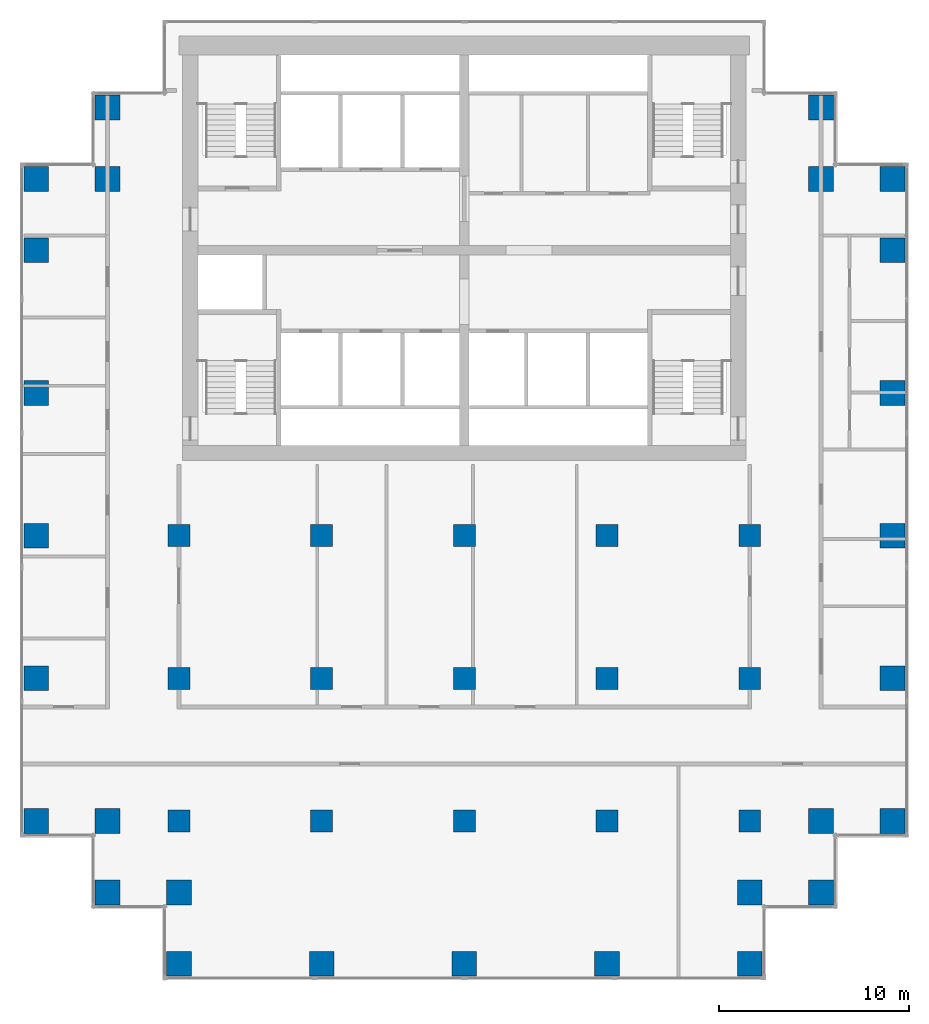
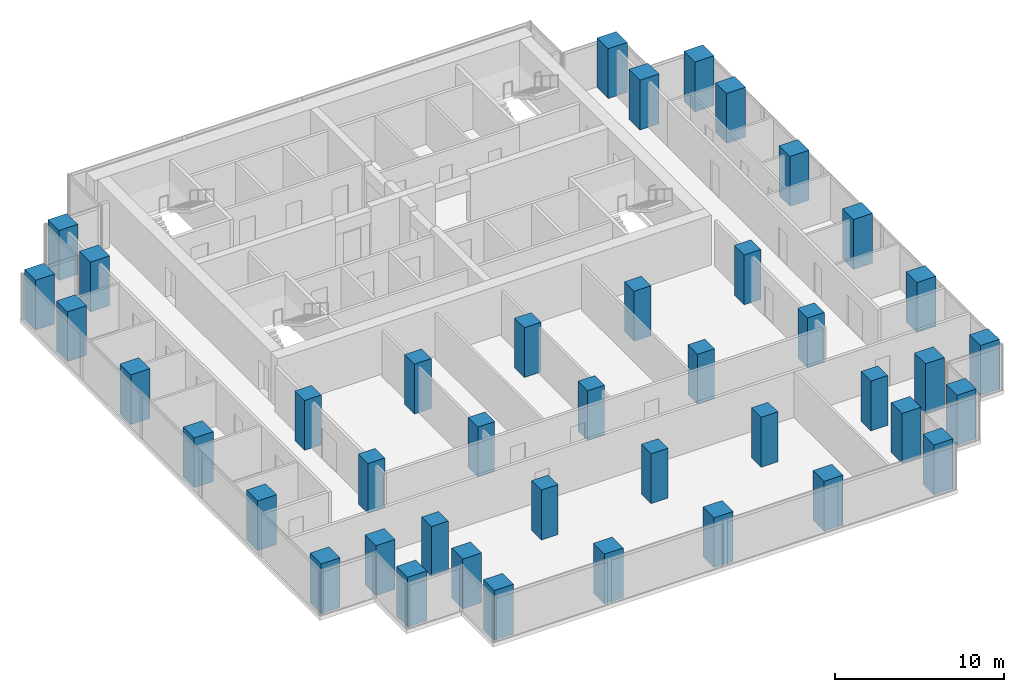
# One storey, part 1 of 10: 42 columns.
"""IFC4 building model written with IfcOpenShell, lengths in metres."""

import ifcopenshell
import ifcopenshell.guid

model = None  # the IFC model being written
_history = None  # IfcOwnerHistory: only IFC2X3 demands one
_inside = {}  # id of a spatial element -> (the spatial element, [elements in it])
_under = {}  # id of a project, library or spatial element -> (it, [spatial elements below it])
_declared = {}  # id of a project -> (the project, [libraries it declares])
_typed = {}  # id of a type object -> (the type object, [elements of that type])
_made_of = {}  # id of a material, layer set ... -> (it, [elements and type objects made of it])


def new_model(schema):
    """Start an empty IFC model of exactly this schema.

    Asked for "IFC4X3", IfcOpenShell would pick the latest addendum, in which some entities
    have other attributes; the version numbers below select the first issue.
    IFC2X3 requires an IfcOwnerHistory on every rooted entity: one is made here for all.
    """
    global model, _history
    if schema == "IFC4X3":
        model = ifcopenshell.file(schema_version=(4, 3, 0, 0))
    else:
        model = ifcopenshell.file(schema=schema)
    _inside.clear()
    _under.clear()
    _declared.clear()
    _typed.clear()
    _made_of.clear()
    _history = None
    if model.schema == "IFC2X3":
        org = make("IfcOrganization", Name="unknown")
        user = make(
            "IfcPersonAndOrganization",
            ThePerson=make("IfcPerson", FamilyName="unknown"),
            TheOrganization=org,
        )
        app = make(
            "IfcApplication",
            ApplicationDeveloper=org,
            Version="unknown",
            ApplicationFullName="unknown",
            ApplicationIdentifier="unknown",
        )
        _history = make(
            "IfcOwnerHistory",
            OwningUser=user,
            OwningApplication=app,
            ChangeAction="ADDED",
            CreationDate=0,
        )
    return model


def make(cls, **values):
    """One entity of the class cls with the attributes given. An attribute that is None is left unset."""
    return model.create_entity(
        cls, **{name: value for name, value in values.items() if value is not None}
    )


def rooted(cls, **values):
    """An entity with a GlobalId (a new one), such as an element, a storey or a relation."""
    return make(cls, GlobalId=ifcopenshell.guid.new(), OwnerHistory=_history, **values)


def si_unit(unit_type, name, prefix=None):
    """IfcSIUnit, for example si_unit("LENGTHUNIT", "METRE", prefix="MILLI")."""
    return make("IfcSIUnit", UnitType=unit_type, Prefix=prefix, Name=name)


def assignment(units):
    """IfcUnitAssignment: the units of a project."""
    return None if units is None else make("IfcUnitAssignment", Units=units)


def point(xyz):
    """IfcCartesianPoint."""
    return None if xyz is None else make("IfcCartesianPoint", Coordinates=xyz)


def direction(xyz):
    """IfcDirection."""
    return None if xyz is None else make("IfcDirection", DirectionRatios=xyz)


def frame(location, z_axis=None, x_axis=None):
    """IfcAxis2Placement3D, a coordinate frame: its origin and axes. An axis left out is left unset."""
    return make(
        "IfcAxis2Placement3D",
        Location=point(location),
        Axis=direction(z_axis),
        RefDirection=direction(x_axis),
    )


def frame_2d(location, x_axis=None):
    """IfcAxis2Placement2D, a coordinate frame in the plane: its origin and x axis."""
    return make(
        "IfcAxis2Placement2D", Location=point(location), RefDirection=direction(x_axis)
    )


def origin():
    """The frame at (0, 0, 0) with its axes left unset."""
    return frame((0.0, 0.0, 0.0))


def origin_2d():
    """The frame at (0, 0) in the plane with its x axis left unset."""
    return frame_2d((0.0, 0.0))


def place(relative_to, where):
    """IfcLocalPlacement: puts the frame where relative to a parent placement (None: the world)."""
    return make(
        "IfcLocalPlacement", PlacementRelTo=relative_to, RelativePlacement=where
    )


def context(
    kind, dimensions, precision=None, world=None, true_north=None, identifier=None
):
    """IfcGeometricRepresentationContext, for example the 3D "Model" context."""
    return make(
        "IfcGeometricRepresentationContext",
        ContextIdentifier=identifier,
        ContextType=kind,
        CoordinateSpaceDimension=dimensions,
        Precision=precision,
        WorldCoordinateSystem=world,
        TrueNorth=true_north,
    )


def subcontext(parent, identifier, kind, view, scale=None):
    """IfcGeometricRepresentationSubContext, for example "Body" below "Model"."""
    return make(
        "IfcGeometricRepresentationSubContext",
        ContextIdentifier=identifier,
        ContextType=kind,
        ParentContext=parent,
        TargetScale=scale,
        TargetView=view,
    )


def project(units=None, contexts=None):
    """IfcProject with its units and contexts."""
    return rooted(
        "IfcProject",
        Name="project",
        RepresentationContexts=contexts,
        UnitsInContext=assignment(units),
    )


def spatial(cls, under=None, at=None, **own):
    """A site, building, storey or space (cls), placed at a placement, below another one or the project."""
    s = rooted(cls, ObjectPlacement=at, **own)
    if under is not None:
        _under.setdefault(under.id(), (under, []))[1].append(s)
    return s


def profile(cls, at=None, kind="AREA", **sizes):
    """A parametric profile (cls). Its sizes go by their IFC names, for example OverallWidth=200.0."""
    return make(cls, ProfileType=kind, Position=at, **sizes)


def rectangle(**sizes):
    """IfcRectangleProfileDef."""
    return profile("IfcRectangleProfileDef", **sizes)


def extrude(swept, where, along, depth):
    """IfcExtrudedAreaSolid: the profile swept, set in the frame where, extruded along a direction by depth."""
    return make(
        "IfcExtrudedAreaSolid",
        SweptArea=swept,
        Position=where,
        ExtrudedDirection=direction(along),
        Depth=depth,
    )


def shape(context_of_items, identifier, shape_type, items):
    """IfcShapeRepresentation: the items that make up one representation, for example the "Body"."""
    return make(
        "IfcShapeRepresentation",
        ContextOfItems=context_of_items,
        RepresentationIdentifier=identifier,
        RepresentationType=shape_type,
        Items=items,
    )


def material(Name=None, Category=None):
    """IfcMaterial."""
    return make("IfcMaterial", Name=Name, Category=Category)


def material_profile(
    of_material, cross_section, Name=None, Category=None, Priority=None
):
    """IfcMaterialProfile: a cross section and its material."""
    return make(
        "IfcMaterialProfile",
        Name=Name,
        Material=of_material,
        Profile=cross_section,
        Priority=Priority,
        Category=Category,
    )


def profile_set(profiles, Name=None, composite=None):
    """IfcMaterialProfileSet."""
    return make(
        "IfcMaterialProfileSet",
        Name=Name,
        MaterialProfiles=profiles,
        CompositeProfile=composite,
    )


def made_of(thing, what):
    """Note that an element or type object is made of a material, layer set ...; save() writes the relation."""
    if what is not None:
        _made_of.setdefault(what.id(), (what, []))[1].append(thing)
    return thing


def type_object(cls, material=None, **own):
    """A type object (cls), such as IfcWallType, which elements share."""
    return made_of(rooted(cls, **own), material)


def element(
    cls,
    number,
    at=None,
    inside=None,
    cuts=None,
    type_object=None,
    material=None,
    context=None,
    identifier="Body",
    shape_type=None,
    held_by="IfcProductDefinitionShape",
    body=None,
    shapes=None,
    **own,
):
    """One element of the class cls, such as IfcWall. Its Tag is "e" and its number.

    at: its placement. inside: the storey or other place that contains it. cuts: it is an
    opening in that element (IfcRelVoidsElement). A single representation is given by context,
    identifier, shape_type and body (its items); several are given by shapes. held_by: the class
    of the entity that holds the representations. save() writes the other relations.
    """
    e = rooted(cls, Tag="e%d" % number, ObjectPlacement=at, **own)
    if body is not None:
        shapes = [shape(context, identifier, shape_type, body)]
    if shapes is not None:
        e.Representation = make(held_by, Representations=shapes)
    if inside is not None:
        _inside.setdefault(inside.id(), (inside, []))[1].append(e)
    if cuts is not None:
        rooted(
            "IfcRelVoidsElement", RelatingBuildingElement=cuts, RelatedOpeningElement=e
        )
    if type_object is not None:
        _typed.setdefault(type_object.id(), (type_object, []))[1].append(e)
    return made_of(e, material)


def aggregate(whole, parts):
    """IfcRelAggregates: a whole, such as a stair, and the parts it consists of."""
    return rooted("IfcRelAggregates", RelatingObject=whole, RelatedObjects=parts)


def save(model, path):
    """Write the relations noted so far, then the file.

    IfcRelAggregates (storeys below a building ...), IfcRelContainedInSpatialStructure (elements
    in a storey), IfcRelDefinesByType, IfcRelAssociatesMaterial and IfcRelDeclares: one each for
    every whole, place, type object, material and project.
    """
    for whole, parts in _under.values():
        aggregate(whole, parts)
    for where, things in _inside.values():
        rooted(
            "IfcRelContainedInSpatialStructure",
            RelatedElements=things,
            RelatingStructure=where,
        )
    for kind, things in _typed.values():
        rooted("IfcRelDefinesByType", RelatedObjects=things, RelatingType=kind)
    for what, things in _made_of.values():
        rooted("IfcRelAssociatesMaterial", RelatedObjects=things, RelatingMaterial=what)
    for by, libraries in _declared.values():
        rooted("IfcRelDeclares", RelatingContext=by, RelatedDefinitions=libraries)
    model.write(path)


model = new_model("IFC4")

# Units and contexts
model_context = context("Model", 3, precision=1e-05, world=origin(), true_north=direction((0.0, 1.0)))
body_context = subcontext(model_context, "Body", "Model", "MODEL_VIEW")
ifc_project = project(units=[si_unit("LENGTHUNIT", "METRE"), si_unit("AREAUNIT", "SQUARE_METRE"), si_unit("VOLUMEUNIT", "CUBIC_METRE"), si_unit("PLANEANGLEUNIT", "RADIAN"), si_unit("MASSUNIT", "GRAM", prefix="KILO")], contexts=[model_context])

# Site, building, storey
site_placement = place(None, origin())
site = spatial("IfcSite", under=ifc_project, at=site_placement, CompositionType="ELEMENT")
building_placement = place(site_placement, origin())
building = spatial("IfcBuilding", under=site, at=building_placement, Name="Pilkhan Gate Tower", CompositionType="ELEMENT")
storey_placement = place(building_placement, frame((0.0, 0.0, 132.39990234375)))
storey = spatial("IfcBuildingStorey", under=building, at=storey_placement, Name="L33", CompositionType="ELEMENT", Elevation=132.39990234375)

# Columns
ifc_material = material(Name="Concrete C60/75", Category="concrete")
ifc_material_profile_1 = material_profile(ifc_material, rectangle(XDim=1.14990234375, YDim=1.14990234375, at=origin_2d()), Name="RC 1150x1150")
ifc_profile_set_1 = profile_set([ifc_material_profile_1], Name="Concrete C60/75")
column_type_1 = type_object("IfcColumnType", Name="Column C115 RC 1150x1150 C60/75", PredefinedType="COLUMN", material=ifc_profile_set_1)
for number, where, z_axis, x_axis, name in (
    (1, (60.0, 52.5, 0.0), (0.0, 0.0, 1.0), (1.0, 0.0, 0.0), "Column 7/D L33"),
    (2, (60.0, 60.0, 0.0), (0.0, 0.0, 1.0), (1.0, 0.0, 0.0), "Column 7/F L33"),
    (3, (60.0, 67.5, 0.0), (0.0, 0.0, 1.0), (1.0, 0.0, 0.0), "Column 7/H L33"),
    (4, (67.5, 52.5, 0.0), (0.0, 0.0, 1.0), (1.0, 0.0, 0.0), "Column 9/D L33"),
    (5, (67.5, 60.0, 0.0), (0.0, 0.0, 1.0), (1.0, 0.0, 0.0), "Column 9/F L33"),
    (6, (67.5, 67.5, 0.0), (0.0, 0.0, 1.0), (1.0, 0.0, 0.0), "Column 9/H L33"),
    (7, (75.0, 52.5, 0.0), (0.0, 0.0, 1.0), (1.0, 0.0, 0.0), "Column 11/D L33"),
    (8, (75.0, 60.0, 0.0), (0.0, 0.0, 1.0), (1.0, 0.0, 0.0), "Column 11/F L33"),
    (9, (75.0, 67.5, 0.0), (0.0, 0.0, 1.0), (1.0, 0.0, 0.0), "Column 11/H L33"),
    (10, (82.5, 52.5, 0.0), (0.0, 0.0, 1.0), (1.0, 0.0, 0.0), "Column 13/D L33"),
    (11, (82.5, 60.0, 0.0), (0.0, 0.0, 1.0), (1.0, 0.0, 0.0), "Column 13/F L33"),
    (12, (82.5, 67.5, 0.0), (0.0, 0.0, 1.0), (1.0, 0.0, 0.0), "Column 13/H L33"),
    (13, (90.0, 52.5, 0.0), (0.0, 0.0, 1.0), (1.0, 0.0, 0.0), "Column 15/D L33"),
    (14, (90.0, 60.0, 0.0), (0.0, 0.0, 1.0), (1.0, 0.0, 0.0), "Column 15/F L33"),
    (15, (90.0, 67.5, 0.0), (0.0, 0.0, 1.0), (1.0, 0.0, 0.0), "Column 15/H L33"),
):
    element("IfcColumn", number, at=place(storey_placement, frame(where, z_axis=z_axis, x_axis=x_axis)), inside=storey, type_object=column_type_1, Name=name, PredefinedType="COLUMN", context=body_context, shape_type="SweptSolid", body=[
        extrude(rectangle(XDim=1.14990234375, YDim=1.14990234375, at=origin_2d()), origin(), (0.0, 0.0, 1.0), 3.60009765625),
    ])
ifc_material_profile_2 = material_profile(ifc_material, rectangle(XDim=1.300048828125, YDim=1.300048828125, at=origin_2d()), Name="RC 1300x1300")
ifc_profile_set_2 = profile_set([ifc_material_profile_2], Name="Concrete C60/75")
column_type_2 = type_object("IfcColumnType", Name="Column C130 RC 1300x1300 C60/75", PredefinedType="COLUMN", material=ifc_profile_set_2)
for number, where, z_axis, x_axis, name in (
    (16, (52.5, 52.5, 0.0), (0.0, 0.0, 1.0), (1.0, 0.0, 0.0), "Column 5/D L33"),
    (17, (52.5, 60.0, 0.0), (0.0, 0.0, 1.0), (1.0, 0.0, 0.0), "Column 5/F L33"),
    (18, (52.5, 67.5, 0.0), (0.0, 0.0, 1.0), (1.0, 0.0, 0.0), "Column 5/H L33"),
    (19, (52.5, 75.0, 0.0), (0.0, 0.0, 1.0), (1.0, 0.0, 0.0), "Column 5/K L33"),
    (20, (52.5, 82.5, 0.0), (0.0, 0.0, 1.0), (1.0, 0.0, 0.0), "Column 5/M L33"),
    (21, (52.5, 86.25, 0.0), (0.0, 0.0, 1.0), (1.0, 0.0, 0.0), "Column 5/N L33"),
    (22, (56.25, 48.75, 0.0), (0.0, 0.0, 1.0), (1.0, 0.0, 0.0), "Column 6/C L33"),
    (23, (56.25, 52.5, 0.0), (0.0, 0.0, 1.0), (1.0, 0.0, 0.0), "Column 6/D L33"),
    (24, (56.25, 86.25, 0.0), (0.0, 0.0, 1.0), (1.0, 0.0, 0.0), "Column 6/N L33"),
    (25, (56.25, 90.0, 0.0), (0.0, 0.0, 1.0), (1.0, 0.0, 0.0), "Column 6/P L33"),
    (26, (60.0, 45.0, 0.0), (0.0, 0.0, 1.0), (1.0, 0.0, 0.0), "Column 7/B L33"),
    (27, (60.0, 48.75, 0.0), (0.0, 0.0, 1.0), (1.0, 0.0, 0.0), "Column 7/C L33"),
    (28, (67.5, 45.0, 0.0), (0.0, 0.0, 1.0), (1.0, 0.0, 0.0), "Column 9/B L33"),
    (29, (75.0, 45.0, 0.0), (0.0, 0.0, 1.0), (1.0, 0.0, 0.0), "Column 11/B L33"),
    (30, (82.5, 45.0, 0.0), (0.0, 0.0, 1.0), (1.0, 0.0, 0.0), "Column 13/B L33"),
    (31, (90.0, 45.0, 0.0), (0.0, 0.0, 1.0), (1.0, 0.0, 0.0), "Column 15/B L33"),
    (32, (90.0, 48.75, 0.0), (0.0, 0.0, 1.0), (1.0, 0.0, 0.0), "Column 15/C L33"),
    (33, (93.75, 48.75, 0.0), (0.0, 0.0, 1.0), (1.0, 0.0, 0.0), "Column 16/C L33"),
    (34, (93.75, 52.5, 0.0), (0.0, 0.0, 1.0), (1.0, 0.0, 0.0), "Column 16/D L33"),
    (35, (93.75, 86.25, 0.0), (0.0, 0.0, 1.0), (1.0, 0.0, 0.0), "Column 16/N L33"),
    (36, (93.75, 90.0, 0.0), (0.0, 0.0, 1.0), (1.0, 0.0, 0.0), "Column 16/P L33"),
    (37, (97.5, 52.5, 0.0), (0.0, 0.0, 1.0), (1.0, 0.0, 0.0), "Column 17/D L33"),
    (38, (97.5, 60.0, 0.0), (0.0, 0.0, 1.0), (1.0, 0.0, 0.0), "Column 17/F L33"),
    (39, (97.5, 67.5, 0.0), (0.0, 0.0, 1.0), (1.0, 0.0, 0.0), "Column 17/H L33"),
    (40, (97.5, 75.0, 0.0), (0.0, 0.0, 1.0), (1.0, 0.0, 0.0), "Column 17/K L33"),
    (41, (97.5, 82.5, 0.0), (0.0, 0.0, 1.0), (1.0, 0.0, 0.0), "Column 17/M L33"),
    (42, (97.5, 86.25, 0.0), (0.0, 0.0, 1.0), (1.0, 0.0, 0.0), "Column 17/N L33"),
):
    element("IfcColumn", number, at=place(storey_placement, frame(where, z_axis=z_axis, x_axis=x_axis)), inside=storey, type_object=column_type_2, Name=name, PredefinedType="COLUMN", context=body_context, shape_type="SweptSolid", body=[
        extrude(rectangle(XDim=1.300048828125, YDim=1.300048828125, at=origin_2d()), origin(), (0.0, 0.0, 1.0), 3.60009765625),
    ])

save(model, "model.ifc")
